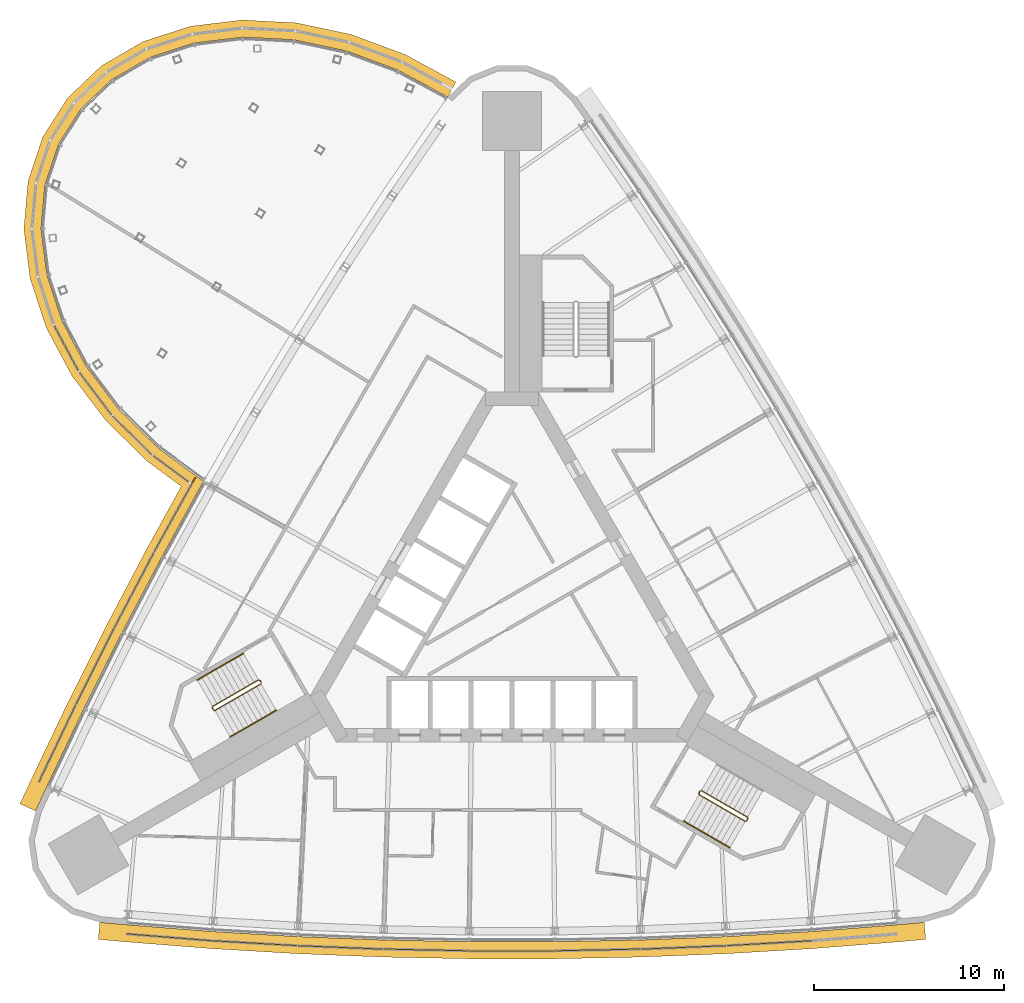
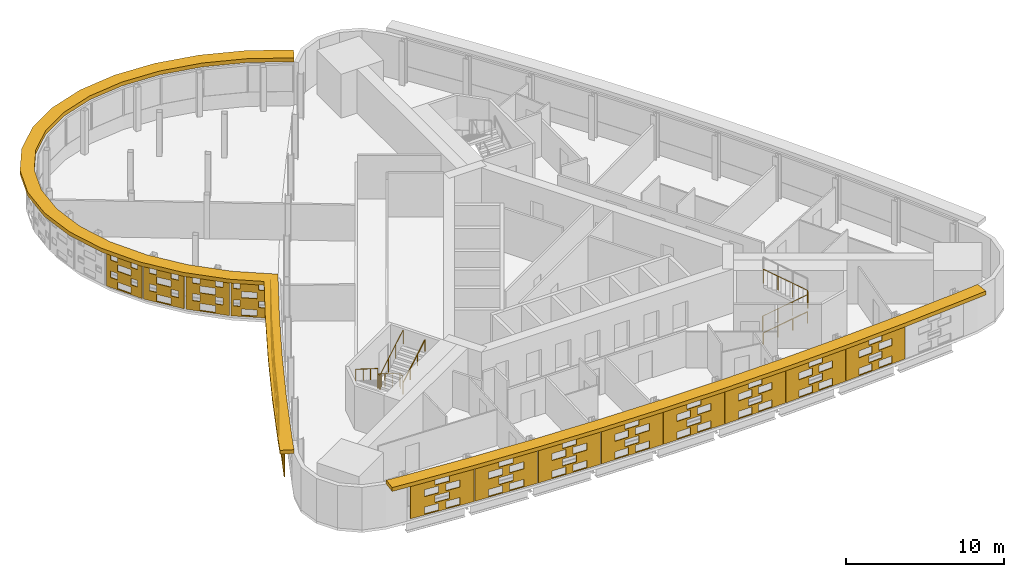
# One storey, part 14 of 16: 18 shading devices, 5 railings.
"""IFC4 building model written with IfcOpenShell, lengths in metres."""

from ifc_helpers import new_model, si_unit, direction, frame, origin, origin_2d, place, context, subcontext, project, spatial, polyline, circle, outline, extrude, material, layer, layer_set, material_profile, profile_set, type_object, element, save


model = new_model("IFC4")

# Units and contexts
model_context = context("Model", 3, precision=1e-05, world=origin(), true_north=direction((0.0, 1.0)))
body_context = subcontext(model_context, "Body", "Model", "MODEL_VIEW")
ifc_project = project(units=[si_unit("LENGTHUNIT", "METRE"), si_unit("AREAUNIT", "SQUARE_METRE"), si_unit("VOLUMEUNIT", "CUBIC_METRE"), si_unit("PLANEANGLEUNIT", "RADIAN"), si_unit("MASSUNIT", "GRAM", prefix="KILO")], contexts=[model_context])

# Site, building, storey
site_placement = place(None, origin())
site = spatial("IfcSite", under=ifc_project, at=site_placement, CompositionType="ELEMENT")
building_placement = place(site_placement, origin())
building = spatial("IfcBuilding", under=site, at=building_placement, Name="Noor Cloister Tower", CompositionType="ELEMENT")
storey_placement = place(building_placement, frame((0.0, 0.0, 91.5)))
storey = spatial("IfcBuildingStorey", under=building, at=storey_placement, Name="L23", CompositionType="ELEMENT", Elevation=91.5)

# Shading devices
ifc_material_1 = material(Name="Limestone", Category="masonry")
ifc_material_profile = material_profile(ifc_material_1, outline(polyline([(-2.22998046875, -1.35009765625), (2.22998046875, -1.35009765625), (2.22998046875, 1.35009765625), (-2.22998046875, 1.35009765625), (-2.22998046875, -1.35009765625)]), holes=[polyline([(-1.25, -1.282470703125), (-0.25, -1.282470703125), (-0.25, -0.742431640625), (-1.25, -0.742431640625), (-1.25, -1.282470703125)]), polyline([(0.25, -1.282470703125), (1.25, -1.282470703125), (1.25, -0.742431640625), (0.25, -0.742431640625), (0.25, -1.282470703125)]), polyline([(-0.5, -0.607421875), (0.5, -0.607421875), (0.5, -0.0673828125), (-0.5, -0.0673828125), (-0.5, -0.607421875)]), polyline([(-1.25, 0.0673828125), (-0.25, 0.0673828125), (-0.25, 0.607421875), (-1.25, 0.607421875), (-1.25, 0.0673828125)]), polyline([(0.25, 0.0673828125), (1.25, 0.0673828125), (1.25, 0.607421875), (0.25, 0.607421875), (0.25, 0.0673828125)]), polyline([(-0.5, 0.742431640625), (0.5, 0.742431640625), (0.5, 1.282470703125), (-0.5, 1.282470703125), (-0.5, 0.742431640625)])]), Name="Woven screen 28 percent open")
ifc_profile_set = profile_set([ifc_material_profile], Name="Limestone")
shading_device_type_1 = type_object("IfcShadingDeviceType", Name="SCREEN woven limestone 28 percent open", PredefinedType="USERDEFINED", material=ifc_profile_set)
shading_device_1_placement = place(storey_placement, frame((-17.6884765625, 5.006591796875, 1.85009765625), z_axis=(-0.874923997532, 0.484260259099, 0.0), x_axis=(-0.484260259099, -0.874923997532, 0.0)))
element("IfcShadingDevice", 1, at=shading_device_1_placement, inside=storey, type_object=shading_device_type_1, Name="SCREEN L23 18", ObjectType="SCREEN", PredefinedType="USERDEFINED", context=body_context, shape_type="SweptSolid", body=[
    extrude(outline(polyline([(-2.22998046875, -1.35009765625), (2.22998046875, -1.35009765625), (2.22998046875, 1.35009765625), (-2.22998046875, 1.35009765625), (-2.22998046875, -1.35009765625)]), holes=[polyline([(-1.25, -1.282470703125), (-0.25, -1.282470703125), (-0.25, -0.742431640625), (-1.25, -0.742431640625), (-1.25, -1.282470703125)]), polyline([(0.25, -1.282470703125), (1.25, -1.282470703125), (1.25, -0.742431640625), (0.25, -0.742431640625), (0.25, -1.282470703125)]), polyline([(-0.5, -0.607421875), (0.5, -0.607421875), (0.5, -0.0673828125), (-0.5, -0.0673828125), (-0.5, -0.607421875)]), polyline([(-1.25, 0.0673828125), (-0.25, 0.0673828125), (-0.25, 0.607421875), (-1.25, 0.607421875), (-1.25, 0.0673828125)]), polyline([(0.25, 0.0673828125), (1.25, 0.0673828125), (1.25, 0.607421875), (0.25, 0.607421875), (0.25, 0.0673828125)]), polyline([(-0.5, 0.742431640625), (0.5, 0.742431640625), (0.5, 1.282470703125), (-0.5, 1.282470703125), (-0.5, 0.742431640625)])]), origin(), (0.0, 0.0, 1.0), 0.06005859375),
])
shading_device_2_placement = place(storey_placement, frame((-19.82666015625, 1.037353515625, 1.85009765625), z_axis=(-0.885271944608, 0.465073740486, 0.0), x_axis=(-0.465073740486, -0.885271944608, 0.0)))
element("IfcShadingDevice", 2, at=shading_device_2_placement, inside=storey, type_object=shading_device_type_1, Name="SCREEN L23 19", ObjectType="SCREEN", PredefinedType="USERDEFINED", context=body_context, shape_type="SweptSolid", body=[
    extrude(outline(polyline([(-2.22998046875, -1.35009765625), (2.22998046875, -1.35009765625), (2.22998046875, 1.35009765625), (-2.22998046875, 1.35009765625), (-2.22998046875, -1.35009765625)]), holes=[polyline([(-1.25, -1.282470703125), (-0.25, -1.282470703125), (-0.25, -0.742431640625), (-1.25, -0.742431640625), (-1.25, -1.282470703125)]), polyline([(0.25, -1.282470703125), (1.25, -1.282470703125), (1.25, -0.742431640625), (0.25, -0.742431640625), (0.25, -1.282470703125)]), polyline([(-0.5, -0.607421875), (0.5, -0.607421875), (0.5, -0.0673828125), (-0.5, -0.0673828125), (-0.5, -0.607421875)]), polyline([(-1.25, 0.0673828125), (-0.25, 0.0673828125), (-0.25, 0.607421875), (-1.25, 0.607421875), (-1.25, 0.0673828125)]), polyline([(0.25, 0.0673828125), (1.25, 0.0673828125), (1.25, 0.607421875), (0.25, 0.607421875), (0.25, 0.0673828125)]), polyline([(-0.5, 0.742431640625), (0.5, 0.742431640625), (0.5, 1.282470703125), (-0.5, 1.282470703125), (-0.5, 0.742431640625)])]), origin(), (0.0, 0.0, 1.0), 0.059814453125),
])
for number, where, z_axis, x_axis, name in (
    (3, (-21.885986328125, -2.973388671875, 1.85009765625), (-0.894427191, 0.4472135955, 0.0), (-0.4472135955, -0.894427191, 0.0), "SCREEN L23 20"),
    (4, (-23.8662109375, -7.02392578125, 1.85009765625), (-0.902409201061, 0.430880068975, 0.0), (-0.430880068975, -0.902409201061, 0.0), "SCREEN L23 21"),
    (5, (-18.015869140625, -17.15673828125, 1.85009765625), (-0.081362009455, -0.996684615823, 0.0), (0.996684615823, -0.081362009455, 0.0), "SCREEN L23 1"),
):
    element("IfcShadingDevice", number, at=place(storey_placement, frame(where, z_axis=z_axis, x_axis=x_axis)), inside=storey, type_object=shading_device_type_1, Name=name, ObjectType="SCREEN", PredefinedType="USERDEFINED", context=body_context, shape_type="SweptSolid", body=[
        extrude(outline(polyline([(-2.22998046875, -1.35009765625), (2.22998046875, -1.35009765625), (2.22998046875, 1.35009765625), (-2.22998046875, 1.35009765625), (-2.22998046875, -1.35009765625)]), holes=[polyline([(-1.25, -1.282470703125), (-0.25, -1.282470703125), (-0.25, -0.742431640625), (-1.25, -0.742431640625), (-1.25, -1.282470703125)]), polyline([(0.25, -1.282470703125), (1.25, -1.282470703125), (1.25, -0.742431640625), (0.25, -0.742431640625), (0.25, -1.282470703125)]), polyline([(-0.5, -0.607421875), (0.5, -0.607421875), (0.5, -0.0673828125), (-0.5, -0.0673828125), (-0.5, -0.607421875)]), polyline([(-1.25, 0.0673828125), (-0.25, 0.0673828125), (-0.25, 0.607421875), (-1.25, 0.607421875), (-1.25, 0.0673828125)]), polyline([(0.25, 0.0673828125), (1.25, 0.0673828125), (1.25, 0.607421875), (0.25, 0.607421875), (0.25, 0.0673828125)]), polyline([(-0.5, 0.742431640625), (0.5, 0.742431640625), (0.5, 1.282470703125), (-0.5, 1.282470703125), (-0.5, 0.742431640625)])]), origin(), (0.0, 0.0, 1.0), 0.06005859375),
    ])
shading_device_3_placement = place(storey_placement, frame((-13.51806640625, -17.46728515625, 1.85009765625), z_axis=(-0.057049790539, -0.998371334424, 0.0), x_axis=(0.998371334424, -0.057049790539, 0.0)))
element("IfcShadingDevice", 6, at=shading_device_3_placement, inside=storey, type_object=shading_device_type_1, Name="SCREEN L23 2", ObjectType="SCREEN", PredefinedType="USERDEFINED", context=body_context, shape_type="SweptSolid", body=[
    extrude(outline(polyline([(-2.22998046875, -1.35009765625), (2.22998046875, -1.35009765625), (2.22998046875, 1.35009765625), (-2.22998046875, 1.35009765625), (-2.22998046875, -1.35009765625)]), holes=[polyline([(-1.25, -1.282470703125), (-0.25, -1.282470703125), (-0.25, -0.742431640625), (-1.25, -0.742431640625), (-1.25, -1.282470703125)]), polyline([(0.25, -1.282470703125), (1.25, -1.282470703125), (1.25, -0.742431640625), (0.25, -0.742431640625), (0.25, -1.282470703125)]), polyline([(-0.5, -0.607421875), (0.5, -0.607421875), (0.5, -0.0673828125), (-0.5, -0.0673828125), (-0.5, -0.607421875)]), polyline([(-1.25, 0.0673828125), (-0.25, 0.0673828125), (-0.25, 0.607421875), (-1.25, 0.607421875), (-1.25, 0.0673828125)]), polyline([(0.25, 0.0673828125), (1.25, 0.0673828125), (1.25, 0.607421875), (0.25, 0.607421875), (0.25, 0.0673828125)]), polyline([(-0.5, 0.742431640625), (0.5, 0.742431640625), (0.5, 1.282470703125), (-0.5, 1.282470703125), (-0.5, 0.742431640625)])]), origin(), (0.0, 0.0, 1.0), 0.059814453125),
])
for number, where, z_axis, x_axis, name in (
    (7, (-9.014892578125, -17.68896484375, 1.85009765625), (-0.040616861577, -0.999174794796, 0.0), (0.999174794796, -0.040616861577, 0.0), "SCREEN L23 3"),
    (8, (-4.50830078125, -17.822021484375, 1.85009765625), (-0.020321006241, -0.999793507033, 0.0), (0.999793507033, -0.020321006241, 0.0), "SCREEN L23 4"),
    (9, (0.0, -17.866455078125, 1.85009765625), (0.0, -1.0, 0.0), (1.0, 0.0, 0.0), "SCREEN L23 5"),
    (10, (4.50830078125, -17.822021484375, 1.85009765625), (0.020321006241, -0.999793507033, 0.0), (0.999793507033, 0.020321006241, 0.0), "SCREEN L23 6"),
    (11, (9.014892578125, -17.68896484375, 1.85009765625), (0.040616861577, -0.999174794796, 0.0), (0.999174794796, 0.040616861577, 0.0), "SCREEN L23 7"),
):
    element("IfcShadingDevice", number, at=place(storey_placement, frame(where, z_axis=z_axis, x_axis=x_axis)), inside=storey, type_object=shading_device_type_1, Name=name, ObjectType="SCREEN", PredefinedType="USERDEFINED", context=body_context, shape_type="SweptSolid", body=[
        extrude(outline(polyline([(-2.22998046875, -1.35009765625), (2.22998046875, -1.35009765625), (2.22998046875, 1.35009765625), (-2.22998046875, 1.35009765625), (-2.22998046875, -1.35009765625)]), holes=[polyline([(-1.25, -1.282470703125), (-0.25, -1.282470703125), (-0.25, -0.742431640625), (-1.25, -0.742431640625), (-1.25, -1.282470703125)]), polyline([(0.25, -1.282470703125), (1.25, -1.282470703125), (1.25, -0.742431640625), (0.25, -0.742431640625), (0.25, -1.282470703125)]), polyline([(-0.5, -0.607421875), (0.5, -0.607421875), (0.5, -0.0673828125), (-0.5, -0.0673828125), (-0.5, -0.607421875)]), polyline([(-1.25, 0.0673828125), (-0.25, 0.0673828125), (-0.25, 0.607421875), (-1.25, 0.607421875), (-1.25, 0.0673828125)]), polyline([(0.25, 0.0673828125), (1.25, 0.0673828125), (1.25, 0.607421875), (0.25, 0.607421875), (0.25, 0.0673828125)]), polyline([(-0.5, 0.742431640625), (0.5, 0.742431640625), (0.5, 1.282470703125), (-0.5, 1.282470703125), (-0.5, 0.742431640625)])]), origin(), (0.0, 0.0, 1.0), 0.06005859375),
    ])
shading_device_4_placement = place(storey_placement, frame((13.51806640625, -17.46728515625, 1.85009765625), z_axis=(0.057049790539, -0.998371334424, 0.0), x_axis=(0.998371334424, 0.057049790539, 0.0)))
element("IfcShadingDevice", 12, at=shading_device_4_placement, inside=storey, type_object=shading_device_type_1, Name="SCREEN L23 8", ObjectType="SCREEN", PredefinedType="USERDEFINED", context=body_context, shape_type="SweptSolid", body=[
    extrude(outline(polyline([(-2.22998046875, -1.35009765625), (2.22998046875, -1.35009765625), (2.22998046875, 1.35009765625), (-2.22998046875, 1.35009765625), (-2.22998046875, -1.35009765625)]), holes=[polyline([(-1.25, -1.282470703125), (-0.25, -1.282470703125), (-0.25, -0.742431640625), (-1.25, -0.742431640625), (-1.25, -1.282470703125)]), polyline([(0.25, -1.282470703125), (1.25, -1.282470703125), (1.25, -0.742431640625), (0.25, -0.742431640625), (0.25, -1.282470703125)]), polyline([(-0.5, -0.607421875), (0.5, -0.607421875), (0.5, -0.0673828125), (-0.5, -0.0673828125), (-0.5, -0.607421875)]), polyline([(-1.25, 0.0673828125), (-0.25, 0.0673828125), (-0.25, 0.607421875), (-1.25, 0.607421875), (-1.25, 0.0673828125)]), polyline([(0.25, 0.0673828125), (1.25, 0.0673828125), (1.25, 0.607421875), (0.25, 0.607421875), (0.25, 0.0673828125)]), polyline([(-0.5, 0.742431640625), (0.5, 0.742431640625), (0.5, 1.282470703125), (-0.5, 1.282470703125), (-0.5, 0.742431640625)])]), origin(), (0.0, 0.0, 1.0), 0.059814453125),
])
ifc_material_2 = material(Name="Limestone", Category="masonry")
ifc_layer = layer(ifc_material_2, 0.06005859375)
ifc_layer_set = layer_set([ifc_layer], Name="SCREEN woven limestone pod 28 percent open")
shading_device_type_2 = type_object("IfcShadingDeviceType", Name="SCREEN woven limestone pod 28 percent open", PredefinedType="USERDEFINED", material=ifc_layer_set)
shading_device_5_placement = place(storey_placement, frame((-23.390380859375, 13.770751953125, 1.85009765625), z_axis=(-0.88190253726, -0.47143177107, 0.0), x_axis=(0.47143177107, -0.88190253726, 0.0)))
element("IfcShadingDevice", 13, at=shading_device_5_placement, inside=storey, type_object=shading_device_type_2, Name="SCREEN L23 14", ObjectType="SCREEN", PredefinedType="USERDEFINED", context=body_context, shape_type="SweptSolid", body=[
    extrude(outline(polyline([(-1.3330078125, -1.35009765625), (1.3330078125, -1.35009765625), (1.3330078125, 1.35009765625), (-1.3330078125, 1.35009765625), (-1.3330078125, -1.35009765625)]), holes=[polyline([(-0.5, -1.264404296875), (0.5, -1.264404296875), (0.5, -0.760498046875), (-0.5, -0.760498046875), (-0.5, -1.264404296875)]), polyline([(-1.0, -0.58935546875), (-0.5, -0.58935546875), (-0.5, -0.085693359375), (-1.0, -0.085693359375), (-1.0, -0.58935546875)]), polyline([(0.5, -0.58935546875), (1.0, -0.58935546875), (1.0, -0.085693359375), (0.5, -0.085693359375), (0.5, -0.58935546875)]), polyline([(-0.5, 0.085693359375), (0.5, 0.085693359375), (0.5, 0.58935546875), (-0.5, 0.58935546875), (-0.5, 0.085693359375)]), polyline([(-1.0, 0.760498046875), (-0.5, 0.760498046875), (-0.5, 1.264404296875), (-1.0, 1.264404296875), (-1.0, 0.760498046875)]), polyline([(0.5, 0.760498046875), (1.0, 0.760498046875), (1.0, 1.264404296875), (0.5, 1.264404296875), (0.5, 0.760498046875)])]), origin(), (0.0, 0.0, 1.0), 0.06005859375),
])
shading_device_6_placement = place(storey_placement, frame((-21.863037109375, 11.393798828125, 1.85009765625), z_axis=(-0.798041368931, -0.602602666336, 0.0), x_axis=(0.602602666336, -0.798041368931, 0.0)))
element("IfcShadingDevice", 14, at=shading_device_6_placement, inside=storey, type_object=shading_device_type_2, Name="SCREEN L23 15", ObjectType="SCREEN", PredefinedType="USERDEFINED", context=body_context, shape_type="SweptSolid", body=[
    extrude(outline(polyline([(-1.39013671875, -1.35009765625), (1.39013671875, -1.35009765625), (1.39013671875, 1.35009765625), (-1.39013671875, 1.35009765625), (-1.39013671875, -1.35009765625)]), holes=[polyline([(-0.5, -1.275146484375), (0.5, -1.275146484375), (0.5, -0.749755859375), (-0.5, -0.749755859375), (-0.5, -1.275146484375)]), polyline([(-1.0, -0.600341796875), (-0.5, -0.600341796875), (-0.5, -0.07470703125), (-1.0, -0.07470703125), (-1.0, -0.600341796875)]), polyline([(0.5, -0.600341796875), (1.0, -0.600341796875), (1.0, -0.07470703125), (0.5, -0.07470703125), (0.5, -0.600341796875)]), polyline([(-0.5, 0.07470703125), (0.5, 0.07470703125), (0.5, 0.600341796875), (-0.5, 0.600341796875), (-0.5, 0.07470703125)]), polyline([(-1.0, 0.749755859375), (-0.5, 0.749755859375), (-0.5, 1.275146484375), (-1.0, 1.275146484375), (-1.0, 0.749755859375)]), polyline([(0.5, 0.749755859375), (1.0, 0.749755859375), (1.0, 1.275146484375), (0.5, 1.275146484375), (0.5, 0.749755859375)])]), origin(), (0.0, 0.0, 1.0), 0.06005859375),
])
shading_device_7_placement = place(storey_placement, frame((-19.931640625, 9.20361328125, 1.85009765625), z_axis=(-0.70096726958, -0.713193442887, 0.0), x_axis=(0.713193442887, -0.70096726958, 0.0)))
element("IfcShadingDevice", 15, at=shading_device_7_placement, inside=storey, type_object=shading_device_type_2, Name="SCREEN L23 16", ObjectType="SCREEN", PredefinedType="USERDEFINED", context=body_context, shape_type="SweptSolid", body=[
    extrude(outline(polyline([(-1.431640625, -1.35009765625), (1.431640625, -1.35009765625), (1.431640625, 1.35009765625), (-1.431640625, 1.35009765625), (-1.431640625, -1.35009765625)]), holes=[polyline([(-0.5, -1.282470703125), (0.5, -1.282470703125), (0.5, -0.742431640625), (-0.5, -0.742431640625), (-0.5, -1.282470703125)]), polyline([(-1.0, -0.607421875), (-0.5, -0.607421875), (-0.5, -0.0673828125), (-1.0, -0.0673828125), (-1.0, -0.607421875)]), polyline([(0.5, -0.607421875), (1.0, -0.607421875), (1.0, -0.0673828125), (0.5, -0.0673828125), (0.5, -0.607421875)]), polyline([(-0.5, 0.0673828125), (0.5, 0.0673828125), (0.5, 0.607421875), (-0.5, 0.607421875), (-0.5, 0.0673828125)]), polyline([(-1.0, 0.742431640625), (-0.5, 0.742431640625), (-0.5, 1.282470703125), (-1.0, 1.282470703125), (-1.0, 0.742431640625)]), polyline([(0.5, 0.742431640625), (1.0, 0.742431640625), (1.0, 1.282470703125), (0.5, 1.282470703125), (0.5, 0.742431640625)])]), origin(), (0.0, 0.0, 1.0), 0.059814453125),
])
shading_device_8_placement = place(storey_placement, frame((-17.902587890625, 7.449951171875, 1.85009765625), z_axis=(-0.593476321419, -0.804851449595, 0.0), x_axis=(0.804851449595, -0.593476321419, 0.0)))
element("IfcShadingDevice", 16, at=shading_device_8_placement, inside=storey, type_object=shading_device_type_2, Name="SCREEN L23 17", ObjectType="SCREEN", PredefinedType="USERDEFINED", context=body_context, shape_type="SweptSolid", body=[
    extrude(outline(polyline([(-1.153564453125, -1.35009765625), (1.153564453125, -1.35009765625), (1.153564453125, 1.35009765625), (-1.153564453125, 1.35009765625), (-1.153564453125, -1.35009765625)]), holes=[polyline([(-0.5, -1.25390625), (0.5, -1.25390625), (0.5, -0.771240234375), (-0.5, -0.771240234375), (-0.5, -1.25390625)]), polyline([(0.60009765625, -0.578857421875), (1.00341796875, -0.578857421875), (1.00341796875, -0.09619140625), (0.60009765625, -0.09619140625), (0.60009765625, -0.578857421875)]), polyline([(-1.00341796875, -0.578857421875), (-0.60009765625, -0.578857421875), (-0.60009765625, -0.09619140625), (-1.00341796875, -0.09619140625), (-1.00341796875, -0.578857421875)]), polyline([(-0.5, 0.09619140625), (0.5, 0.09619140625), (0.5, 0.578857421875), (-0.5, 0.578857421875), (-0.5, 0.09619140625)]), polyline([(0.60009765625, 0.771240234375), (1.00341796875, 0.771240234375), (1.00341796875, 1.25390625), (0.60009765625, 1.25390625), (0.60009765625, 0.771240234375)]), polyline([(-1.00341796875, 0.771240234375), (-0.60009765625, 0.771240234375), (-0.60009765625, 1.25390625), (-1.00341796875, 1.25390625), (-1.00341796875, 0.771240234375)])]), origin(), (0.0, 0.0, 1.0), 0.06005859375),
])
ifc_material_3 = material(Name="Limestone", Category="masonry")
shading_device_type_3 = type_object("IfcShadingDeviceType", Name="SUNSHADE limestone band 900", PredefinedType="USERDEFINED", material=ifc_material_3)
shading_device_9_placement = place(storey_placement, frame((0.0, 0.0, 3.300048828125)))
element("IfcShadingDevice", 17, at=shading_device_9_placement, inside=storey, type_object=shading_device_type_3, Name="SUNSHADE L23 1", ObjectType="SUNSHADE", PredefinedType="USERDEFINED", context=body_context, shape_type="SweptSolid", body=[
    extrude(outline(polyline([(-2.946533203125, 27.743896484375), (-5.5927734375, 29.178955078125), (-8.43505859375, 30.2373046875), (-11.32763671875, 30.85302734375), (-14.1787109375, 31.001708984375), (-16.896240234375, 30.671875), (-19.38916015625, 29.864990234375), (-21.56787109375, 28.598388671875), (-23.34619140625, 26.908935546875), (-24.649169921875, 24.85888671875), (-25.42333984375, 22.53125), (-25.64501953125, 20.020751953125), (-25.31689453125, 17.421142578125), (-24.461669921875, 14.82080078125), (-23.1162109375, 12.302734375), (-21.330322265625, 9.9453125), (-19.1650390625, 7.821533203125), (-17.377197265625, 6.50341796875), (-19.17333984375, 3.245849609375), (-21.2763671875, -0.75244140625), (-23.30029296875, -4.791259765625), (-25.2431640625, -8.866455078125), (-25.846923828125, -10.17626953125), (-25.029541015625, -10.552978515625), (-24.42822265625, -9.24853515625), (-22.49169921875, -5.1865234375), (-20.475830078125, -1.16357421875), (-18.380859375, 2.819091796875), (-16.2080078125, 6.759765625), (-18.580078125, 8.508544921875), (-20.65283203125, 10.54150390625), (-22.35595703125, 12.78955078125), (-23.631103515625, 15.17626953125), (-24.434814453125, 17.619873046875), (-24.739990234375, 20.03759765625), (-24.5361328125, 22.34716796875), (-23.830078125, 24.469482421875), (-22.646240234375, 26.332763671875), (-21.0244140625, 27.873291015625), (-19.02001953125, 29.03857421875), (-16.70166015625, 29.7890625), (-14.147705078125, 30.098876953125), (-11.445556640625, 29.9580078125), (-8.68701171875, 29.370849609375), (-5.96630859375, 28.357666015625), (-3.37548828125, 26.95263671875), (-2.946533203125, 27.743896484375)])), origin(), (0.0, 0.0, 1.0), 0.300048828125),
])
shading_device_10_placement = place(storey_placement, frame((0.0, 0.0, 3.300048828125)))
element("IfcShadingDevice", 18, at=shading_device_10_placement, inside=storey, type_object=shading_device_type_3, Name="SUNSHADE L23 2", ObjectType="SUNSHADE", PredefinedType="USERDEFINED", context=body_context, shape_type="SweptSolid", body=[
    extrude(outline(polyline([(-21.736328125, -17.2958984375), (-20.300048828125, -17.427978515625), (-15.799560546875, -17.783203125), (-11.289794921875, -18.0498046875), (-6.775634765625, -18.2275390625), (-2.2587890625, -18.31640625), (2.2587890625, -18.31640625), (6.775634765625, -18.2275390625), (11.289794921875, -18.0498046875), (15.799560546875, -17.783203125), (20.300048828125, -17.427978515625), (21.736328125, -17.2958984375), (21.65380859375, -16.399658203125), (20.2236328125, -16.53125), (15.737548828125, -16.88525390625), (11.245361328125, -17.150634765625), (6.7490234375, -17.327880859375), (2.25, -17.41650390625), (-2.25, -17.41650390625), (-6.7490234375, -17.327880859375), (-11.245361328125, -17.150634765625), (-15.737548828125, -16.88525390625), (-20.2236328125, -16.53125), (-21.65380859375, -16.399658203125), (-21.736328125, -17.2958984375)])), origin(), (0.0, 0.0, 1.0), 0.300048828125),
])

# Railings
ifc_material_4 = material(Name="Stainless steel", Category="steel")
railing_type_1 = type_object("IfcRailingType", Name="Stair guard 1100", PredefinedType="GUARDRAIL", material=ifc_material_4)
railing_1_placement = place(storey_placement, frame((-13.241455078125, -3.677734375, 0.0)))
element("IfcRailing", 19, at=railing_1_placement, inside=storey, type_object=railing_type_1, Name="Stair guard ST2 L23", PredefinedType="GUARDRAIL", context=body_context, shape_type="SweptSolid", body=[
    extrude(circle(Radius=0.02392578125, at=origin_2d()), frame((0.0, 0.0, 1.076171875), z_axis=(0.499112439033, -0.866537231285, 0.0), x_axis=(0.866537231285, 0.499112439033, 0.0)), (0.0, 0.0, 1.0), 0.150146484375),
    extrude(circle(Radius=0.02392578125, at=origin_2d()), frame((0.074951171875, -0.130126953125, 1.076171875), z_axis=(-0.544565797804, 0.563119998752, 0.621565731736), x_axis=(-0.718850276695, -0.695164929852, 0.0)), (0.0, 0.0, 1.0), 0.26318359375),
    extrude(circle(Radius=0.02392578125, at=origin_2d()), frame((-0.068359375, 0.01806640625, 1.23974609375), z_axis=(-0.747689811644, -0.431660630283, 0.504607813879), x_axis=(0.49998411664, -0.866034573852, 0.0)), (0.0, 0.0, 1.0), 3.2431640625),
    extrude(circle(Radius=0.02392578125, at=origin_2d()), frame((-2.4931640625, -1.3818359375, 2.8759765625), z_axis=(-0.258736085224, -0.965948051503, 0.0), x_axis=(0.965948051503, -0.258736085224, 0.0)), (0.0, 0.0, 1.0), 0.07080078125),
    extrude(circle(Radius=0.02392578125, at=origin_2d()), frame((-2.511474609375, -1.4501953125, 2.8759765625), z_axis=(0.499816412211, -0.866131372301, 0.0), x_axis=(0.866131372301, 0.499816412211, 0.0)), (0.0, 0.0, 1.0), 0.14990234375),
    extrude(circle(Radius=0.02392578125, at=origin_2d()), frame((-2.4365234375, -1.580078125, 2.8759765625), z_axis=(0.383552647116, -0.102737316192, 0.917786691313), x_axis=(0.258736085224, 0.965948051503, 0.0)), (0.0, 0.0, 1.0), 0.17822265625),
    extrude(circle(Radius=0.02392578125, at=origin_2d()), frame((-2.3681640625, -1.598388671875, 3.03955078125), z_axis=(0.747665513933, 0.431721881032, 0.504591415616), x_axis=(-0.500049511043, 0.865996816683, 0.0)), (0.0, 0.0, 1.0), 3.2431640625),
    extrude(circle(Radius=0.02099609375, at=origin_2d()), origin(), (0.0, 0.0, 1.0), 1.052001953125),
    extrude(circle(Radius=0.02099609375, at=origin_2d()), frame((0.074951171875, -0.130126953125, 0.0)), (0.0, 0.0, 1.0), 1.052001953125),
    extrude(circle(Radius=0.02099609375, at=origin_2d()), frame((-0.068359375, 0.01806640625, 0.16357421875)), (0.0, 0.0, 1.0), 1.052001953125),
    extrude(circle(Radius=0.02099609375, at=origin_2d()), frame((-0.876708984375, -0.448486328125, 0.708984375)), (0.0, 0.0, 1.0), 1.052001953125),
    extrude(circle(Radius=0.02099609375, at=origin_2d()), frame((-1.684814453125, -0.915283203125, 1.254638671875)), (0.0, 0.0, 1.0), 1.052001953125),
    extrude(circle(Radius=0.02099609375, at=origin_2d()), frame((-2.4931640625, -1.3818359375, 1.800048828125)), (0.0, 0.0, 1.0), 1.052001953125),
    extrude(circle(Radius=0.02099609375, at=origin_2d()), frame((-2.511474609375, -1.4501953125, 1.800048828125)), (0.0, 0.0, 1.0), 1.052001953125),
    extrude(circle(Radius=0.02099609375, at=origin_2d()), frame((-2.4365234375, -1.580078125, 1.800048828125)), (0.0, 0.0, 1.0), 1.052001953125),
    extrude(circle(Radius=0.02099609375, at=origin_2d()), frame((-2.3681640625, -1.598388671875, 1.963623046875)), (0.0, 0.0, 1.0), 1.052001953125),
    extrude(circle(Radius=0.02099609375, at=origin_2d()), frame((-1.559814453125, -1.131591796875, 2.509033203125)), (0.0, 0.0, 1.0), 1.052001953125),
    extrude(circle(Radius=0.02099609375, at=origin_2d()), frame((-0.751708984375, -0.6650390625, 3.0546875)), (0.0, 0.0, 1.0), 1.052001953125),
    extrude(circle(Radius=0.02099609375, at=origin_2d()), frame((0.056640625, -0.1982421875, 3.60009765625)), (0.0, 0.0, 1.0), 1.052001953125),
])
railing_2_placement = place(storey_placement, frame((9.805908203125, -9.628662109375, 0.0)))
element("IfcRailing", 20, at=railing_2_placement, inside=storey, type_object=railing_type_1, Name="Stair guard ST3 L23", PredefinedType="GUARDRAIL", context=body_context, shape_type="SweptSolid", body=[
    extrude(circle(Radius=0.02392578125, at=origin_2d()), frame((0.0, 0.0, 1.076171875), z_axis=(0.499112439033, 0.866537231285, 0.0), x_axis=(-0.866537231285, 0.499112439033, 0.0)), (0.0, 0.0, 1.0), 0.150146484375),
    extrude(circle(Radius=0.02392578125, at=origin_2d()), frame((0.074951171875, 0.130126953125, 1.076171875), z_axis=(-0.215214839654, -0.753251938789, 0.621525614518), x_axis=(0.961523947641, -0.274721127897, 0.0)), (0.0, 0.0, 1.0), 0.26318359375),
    extrude(circle(Radius=0.02392578125, at=origin_2d()), frame((0.018310546875, -0.068115234375, 1.23974609375), z_axis=(0.747665513933, -0.431721881032, 0.504591415616), x_axis=(0.500049511043, 0.865996816683, 0.0)), (0.0, 0.0, 1.0), 3.2431640625),
    extrude(circle(Radius=0.02392578125, at=origin_2d()), frame((2.443115234375, -1.46826171875, 2.8759765625), z_axis=(0.965948051503, 0.258736085224, 0.0), x_axis=(-0.258736085224, 0.965948051503, 0.0)), (0.0, 0.0, 1.0), 0.07080078125),
    extrude(circle(Radius=0.02392578125, at=origin_2d()), frame((2.511474609375, -1.449951171875, 2.8759765625), z_axis=(0.499816412211, 0.866131372301, 0.0), x_axis=(-0.866131372301, 0.499816412211, 0.0)), (0.0, 0.0, 1.0), 0.14990234375),
    extrude(circle(Radius=0.02392578125, at=origin_2d()), frame((2.58642578125, -1.320068359375, 2.8759765625), z_axis=(-0.102737316192, 0.383552647116, 0.917786691313), x_axis=(-0.965948051503, -0.258736085224, 0.0)), (0.0, 0.0, 1.0), 0.17822265625),
    extrude(circle(Radius=0.02392578125, at=origin_2d()), frame((2.568115234375, -1.251708984375, 3.03955078125), z_axis=(-0.747689811644, 0.431660630283, 0.504607813879), x_axis=(-0.49998411664, -0.866034573852, 0.0)), (0.0, 0.0, 1.0), 3.2431640625),
    extrude(circle(Radius=0.02099609375, at=origin_2d()), origin(), (0.0, 0.0, 1.0), 1.052001953125),
    extrude(circle(Radius=0.02099609375, at=origin_2d()), frame((0.074951171875, 0.130126953125, 0.0)), (0.0, 0.0, 1.0), 1.052001953125),
    extrude(circle(Radius=0.02099609375, at=origin_2d()), frame((0.018310546875, -0.068115234375, 0.16357421875)), (0.0, 0.0, 1.0), 1.052001953125),
    extrude(circle(Radius=0.02099609375, at=origin_2d()), frame((0.82666015625, -0.534912109375, 0.708984375)), (0.0, 0.0, 1.0), 1.052001953125),
    extrude(circle(Radius=0.02099609375, at=origin_2d()), frame((1.634765625, -1.00146484375, 1.254638671875)), (0.0, 0.0, 1.0), 1.052001953125),
    extrude(circle(Radius=0.02099609375, at=origin_2d()), frame((2.443115234375, -1.46826171875, 1.800048828125)), (0.0, 0.0, 1.0), 1.052001953125),
    extrude(circle(Radius=0.02099609375, at=origin_2d()), frame((2.511474609375, -1.449951171875, 1.800048828125)), (0.0, 0.0, 1.0), 1.052001953125),
    extrude(circle(Radius=0.02099609375, at=origin_2d()), frame((2.58642578125, -1.320068359375, 1.800048828125)), (0.0, 0.0, 1.0), 1.052001953125),
    extrude(circle(Radius=0.02099609375, at=origin_2d()), frame((2.568115234375, -1.251708984375, 1.963623046875)), (0.0, 0.0, 1.0), 1.052001953125),
    extrude(circle(Radius=0.02099609375, at=origin_2d()), frame((1.759765625, -0.78515625, 2.509033203125)), (0.0, 0.0, 1.0), 1.052001953125),
    extrude(circle(Radius=0.02099609375, at=origin_2d()), frame((0.95166015625, -0.318359375, 3.0546875)), (0.0, 0.0, 1.0), 1.052001953125),
    extrude(circle(Radius=0.02099609375, at=origin_2d()), frame((0.143310546875, 0.148193359375, 3.60009765625)), (0.0, 0.0, 1.0), 1.052001953125),
])
ifc_material_5 = material(Name="Stainless steel", Category="steel")
railing_type_2 = type_object("IfcRailingType", Name="Stair handrail 900", PredefinedType="HANDRAIL", material=ifc_material_5)
railing_3_placement = place(storey_placement, frame((-14.10986328125, -2.27392578125, 0.16357421875)))
element("IfcRailing", 21, at=railing_3_placement, inside=storey, type_object=railing_type_2, Name="Stair handrail ST2 L23 1", PredefinedType="HANDRAIL", context=body_context, shape_type="SweptSolid", body=[
    extrude(circle(Radius=0.02392578125, at=origin_2d()), frame((0.0, 0.0, 0.8759765625), z_axis=(-0.747689811644, -0.431660630283, 0.504607813879), x_axis=(0.49998411664, -0.866034573852, 0.0)), (0.0, 0.0, 1.0), 3.2431640625),
    extrude(circle(Radius=0.02099609375, at=origin_2d()), origin(), (0.0, 0.0, 1.0), 0.851806640625),
    extrude(circle(Radius=0.02099609375, at=origin_2d()), frame((-0.808349609375, -0.466552734375, 0.54541015625)), (0.0, 0.0, 1.0), 0.851806640625),
    extrude(circle(Radius=0.02099609375, at=origin_2d()), frame((-1.616455078125, -0.933349609375, 1.091064453125)), (0.0, 0.0, 1.0), 0.851806640625),
    extrude(circle(Radius=0.02099609375, at=origin_2d()), frame((-2.4248046875, -1.39990234375, 1.636474609375)), (0.0, 0.0, 1.0), 0.851806640625),
])
railing_4_placement = place(storey_placement, frame((-14.8095703125, -6.66162109375, 1.963623046875)))
element("IfcRailing", 22, at=railing_4_placement, inside=storey, type_object=railing_type_2, Name="Stair handrail ST2 L23 2", PredefinedType="HANDRAIL", context=body_context, shape_type="SweptSolid", body=[
    extrude(circle(Radius=0.02392578125, at=origin_2d()), frame((0.0, 0.0, 0.8759765625), z_axis=(0.747689811644, 0.431660630283, 0.504607813879), x_axis=(-0.49998411664, 0.866034573852, 0.0)), (0.0, 0.0, 1.0), 3.2431640625),
    extrude(circle(Radius=0.02099609375, at=origin_2d()), origin(), (0.0, 0.0, 1.0), 0.851806640625),
    extrude(circle(Radius=0.02099609375, at=origin_2d()), frame((0.808349609375, 0.466552734375, 0.54541015625)), (0.0, 0.0, 1.0), 0.851806640625),
    extrude(circle(Radius=0.02099609375, at=origin_2d()), frame((1.616455078125, 0.933349609375, 1.091064453125)), (0.0, 0.0, 1.0), 0.851806640625),
    extrude(circle(Radius=0.02099609375, at=origin_2d()), frame((2.4248046875, 1.39990234375, 1.636474609375)), (0.0, 0.0, 1.0), 0.851806640625),
])
railing_5_placement = place(storey_placement, frame((9.024169921875, -11.08251953125, 0.16357421875)))
element("IfcRailing", 23, at=railing_5_placement, inside=storey, type_object=railing_type_2, Name="Stair handrail ST3 L23 1", PredefinedType="HANDRAIL", context=body_context, shape_type="SweptSolid", body=[
    extrude(circle(Radius=0.02392578125, at=origin_2d()), frame((0.0, 0.0, 0.8759765625), z_axis=(0.747689811644, -0.431660630283, 0.504607813879), x_axis=(0.49998411664, 0.866034573852, 0.0)), (0.0, 0.0, 1.0), 3.2431640625),
    extrude(circle(Radius=0.02099609375, at=origin_2d()), origin(), (0.0, 0.0, 1.0), 0.851806640625),
    extrude(circle(Radius=0.02099609375, at=origin_2d()), frame((0.808349609375, -0.466552734375, 0.54541015625)), (0.0, 0.0, 1.0), 0.851806640625),
    extrude(circle(Radius=0.02099609375, at=origin_2d()), frame((1.616455078125, -0.933349609375, 1.091064453125)), (0.0, 0.0, 1.0), 0.851806640625),
    extrude(circle(Radius=0.02099609375, at=origin_2d()), frame((2.4248046875, -1.39990234375, 1.636474609375)), (0.0, 0.0, 1.0), 0.851806640625),
])

save(model, "model.ifc")
